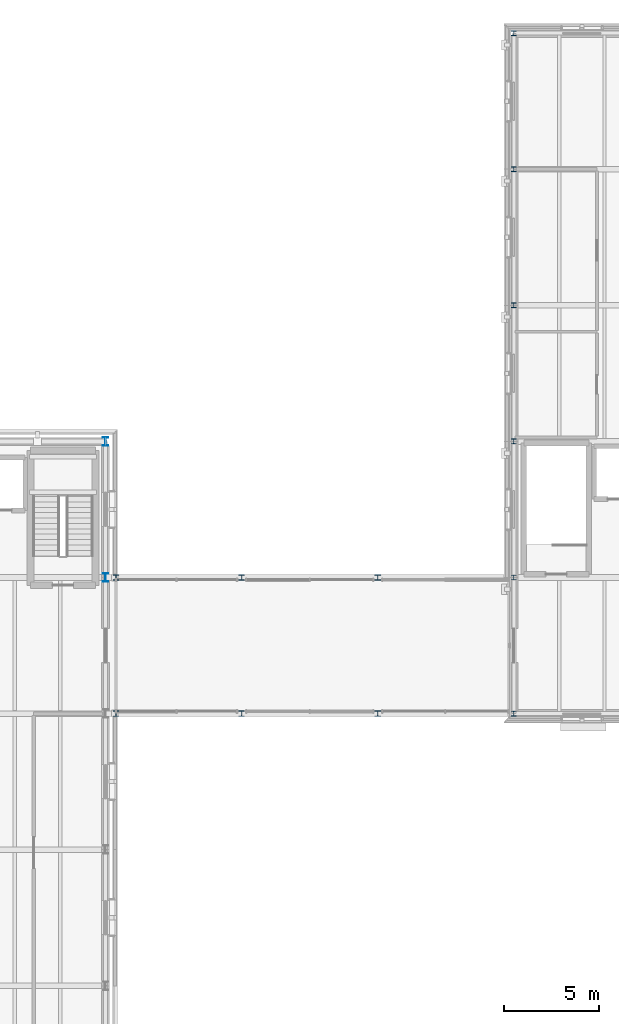
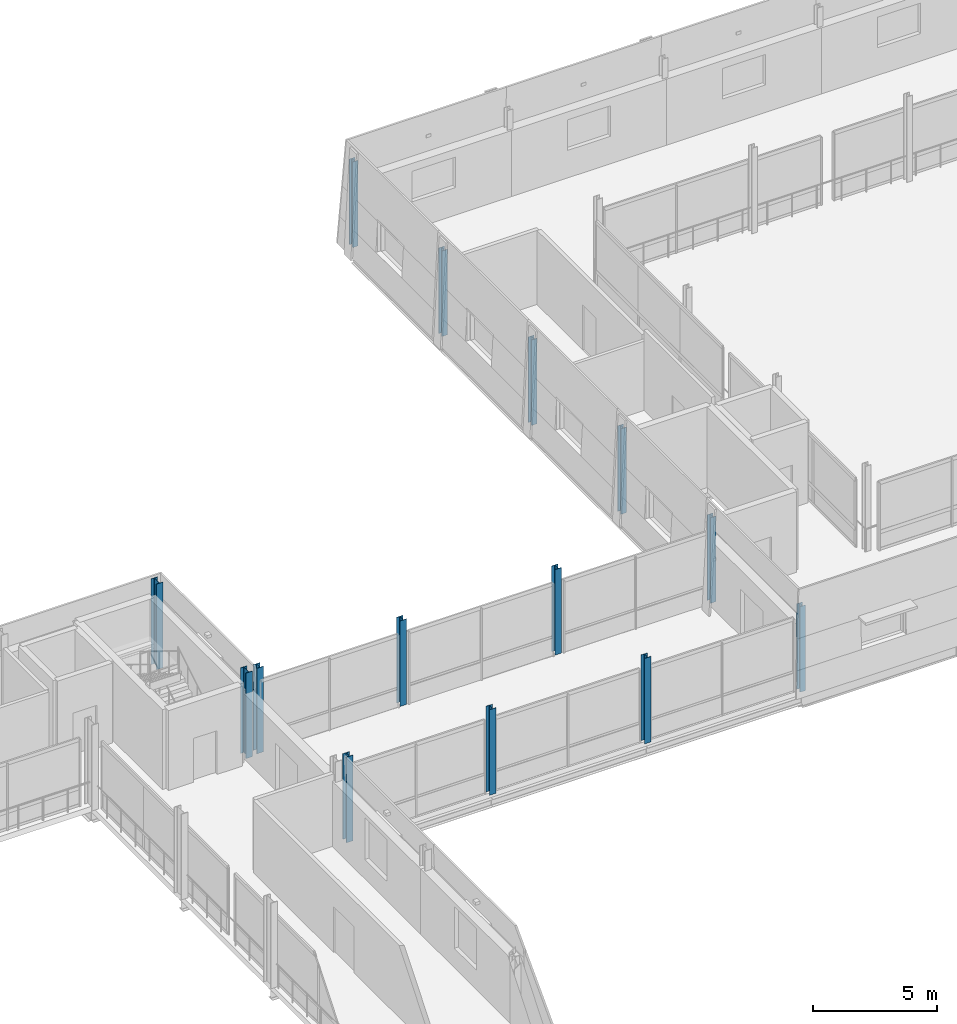
# One storey, part 11 of 115: 14 columns.
"""IFC4 building model written with IfcOpenShell, lengths in metres."""

import ifcopenshell
import ifcopenshell.guid

model = None  # the IFC model being written
_history = None  # IfcOwnerHistory: only IFC2X3 demands one
_inside = {}  # id of a spatial element -> (the spatial element, [elements in it])
_under = {}  # id of a project, library or spatial element -> (it, [spatial elements below it])
_declared = {}  # id of a project -> (the project, [libraries it declares])
_typed = {}  # id of a type object -> (the type object, [elements of that type])
_made_of = {}  # id of a material, layer set ... -> (it, [elements and type objects made of it])


def new_model(schema):
    """Start an empty IFC model of exactly this schema.

    Asked for "IFC4X3", IfcOpenShell would pick the latest addendum, in which some entities
    have other attributes; the version numbers below select the first issue.
    IFC2X3 requires an IfcOwnerHistory on every rooted entity: one is made here for all.
    """
    global model, _history
    if schema == "IFC4X3":
        model = ifcopenshell.file(schema_version=(4, 3, 0, 0))
    else:
        model = ifcopenshell.file(schema=schema)
    _inside.clear()
    _under.clear()
    _declared.clear()
    _typed.clear()
    _made_of.clear()
    _history = None
    if model.schema == "IFC2X3":
        org = make("IfcOrganization", Name="unknown")
        user = make(
            "IfcPersonAndOrganization",
            ThePerson=make("IfcPerson", FamilyName="unknown"),
            TheOrganization=org,
        )
        app = make(
            "IfcApplication",
            ApplicationDeveloper=org,
            Version="unknown",
            ApplicationFullName="unknown",
            ApplicationIdentifier="unknown",
        )
        _history = make(
            "IfcOwnerHistory",
            OwningUser=user,
            OwningApplication=app,
            ChangeAction="ADDED",
            CreationDate=0,
        )
    return model


def make(cls, **values):
    """One entity of the class cls with the attributes given. An attribute that is None is left unset."""
    return model.create_entity(
        cls, **{name: value for name, value in values.items() if value is not None}
    )


def rooted(cls, **values):
    """An entity with a GlobalId (a new one), such as an element, a storey or a relation."""
    return make(cls, GlobalId=ifcopenshell.guid.new(), OwnerHistory=_history, **values)


def si_unit(unit_type, name, prefix=None):
    """IfcSIUnit, for example si_unit("LENGTHUNIT", "METRE", prefix="MILLI")."""
    return make("IfcSIUnit", UnitType=unit_type, Prefix=prefix, Name=name)


def assignment(units):
    """IfcUnitAssignment: the units of a project."""
    return None if units is None else make("IfcUnitAssignment", Units=units)


def point(xyz):
    """IfcCartesianPoint."""
    return None if xyz is None else make("IfcCartesianPoint", Coordinates=xyz)


def direction(xyz):
    """IfcDirection."""
    return None if xyz is None else make("IfcDirection", DirectionRatios=xyz)


def frame(location, z_axis=None, x_axis=None):
    """IfcAxis2Placement3D, a coordinate frame: its origin and axes. An axis left out is left unset."""
    return make(
        "IfcAxis2Placement3D",
        Location=point(location),
        Axis=direction(z_axis),
        RefDirection=direction(x_axis),
    )


def frame_2d(location, x_axis=None):
    """IfcAxis2Placement2D, a coordinate frame in the plane: its origin and x axis."""
    return make(
        "IfcAxis2Placement2D", Location=point(location), RefDirection=direction(x_axis)
    )


def origin():
    """The frame at (0, 0, 0) with its axes left unset."""
    return frame((0.0, 0.0, 0.0))


def origin_2d():
    """The frame at (0, 0) in the plane with its x axis left unset."""
    return frame_2d((0.0, 0.0))


def place(relative_to, where):
    """IfcLocalPlacement: puts the frame where relative to a parent placement (None: the world)."""
    return make(
        "IfcLocalPlacement", PlacementRelTo=relative_to, RelativePlacement=where
    )


def context(
    kind, dimensions, precision=None, world=None, true_north=None, identifier=None
):
    """IfcGeometricRepresentationContext, for example the 3D "Model" context."""
    return make(
        "IfcGeometricRepresentationContext",
        ContextIdentifier=identifier,
        ContextType=kind,
        CoordinateSpaceDimension=dimensions,
        Precision=precision,
        WorldCoordinateSystem=world,
        TrueNorth=true_north,
    )


def subcontext(parent, identifier, kind, view, scale=None):
    """IfcGeometricRepresentationSubContext, for example "Body" below "Model"."""
    return make(
        "IfcGeometricRepresentationSubContext",
        ContextIdentifier=identifier,
        ContextType=kind,
        ParentContext=parent,
        TargetScale=scale,
        TargetView=view,
    )


def project(units=None, contexts=None):
    """IfcProject with its units and contexts."""
    return rooted(
        "IfcProject",
        Name="project",
        RepresentationContexts=contexts,
        UnitsInContext=assignment(units),
    )


def spatial(cls, under=None, at=None, **own):
    """A site, building, storey or space (cls), placed at a placement, below another one or the project."""
    s = rooted(cls, ObjectPlacement=at, **own)
    if under is not None:
        _under.setdefault(under.id(), (under, []))[1].append(s)
    return s


def profile(cls, at=None, kind="AREA", **sizes):
    """A parametric profile (cls). Its sizes go by their IFC names, for example OverallWidth=200.0."""
    return make(cls, ProfileType=kind, Position=at, **sizes)


def i_section(**sizes):
    """IfcIShapeProfileDef."""
    return profile("IfcIShapeProfileDef", **sizes)


def extrude(swept, where, along, depth):
    """IfcExtrudedAreaSolid: the profile swept, set in the frame where, extruded along a direction by depth."""
    return make(
        "IfcExtrudedAreaSolid",
        SweptArea=swept,
        Position=where,
        ExtrudedDirection=direction(along),
        Depth=depth,
    )


def shape(context_of_items, identifier, shape_type, items):
    """IfcShapeRepresentation: the items that make up one representation, for example the "Body"."""
    return make(
        "IfcShapeRepresentation",
        ContextOfItems=context_of_items,
        RepresentationIdentifier=identifier,
        RepresentationType=shape_type,
        Items=items,
    )


def material(Name=None, Category=None):
    """IfcMaterial."""
    return make("IfcMaterial", Name=Name, Category=Category)


def material_profile(
    of_material, cross_section, Name=None, Category=None, Priority=None
):
    """IfcMaterialProfile: a cross section and its material."""
    return make(
        "IfcMaterialProfile",
        Name=Name,
        Material=of_material,
        Profile=cross_section,
        Priority=Priority,
        Category=Category,
    )


def profile_set(profiles, Name=None, composite=None):
    """IfcMaterialProfileSet."""
    return make(
        "IfcMaterialProfileSet",
        Name=Name,
        MaterialProfiles=profiles,
        CompositeProfile=composite,
    )


def made_of(thing, what):
    """Note that an element or type object is made of a material, layer set ...; save() writes the relation."""
    if what is not None:
        _made_of.setdefault(what.id(), (what, []))[1].append(thing)
    return thing


def type_object(cls, material=None, **own):
    """A type object (cls), such as IfcWallType, which elements share."""
    return made_of(rooted(cls, **own), material)


def element(
    cls,
    number,
    at=None,
    inside=None,
    cuts=None,
    type_object=None,
    material=None,
    context=None,
    identifier="Body",
    shape_type=None,
    held_by="IfcProductDefinitionShape",
    body=None,
    shapes=None,
    **own,
):
    """One element of the class cls, such as IfcWall. Its Tag is "e" and its number.

    at: its placement. inside: the storey or other place that contains it. cuts: it is an
    opening in that element (IfcRelVoidsElement). A single representation is given by context,
    identifier, shape_type and body (its items); several are given by shapes. held_by: the class
    of the entity that holds the representations. save() writes the other relations.
    """
    e = rooted(cls, Tag="e%d" % number, ObjectPlacement=at, **own)
    if body is not None:
        shapes = [shape(context, identifier, shape_type, body)]
    if shapes is not None:
        e.Representation = make(held_by, Representations=shapes)
    if inside is not None:
        _inside.setdefault(inside.id(), (inside, []))[1].append(e)
    if cuts is not None:
        rooted(
            "IfcRelVoidsElement", RelatingBuildingElement=cuts, RelatedOpeningElement=e
        )
    if type_object is not None:
        _typed.setdefault(type_object.id(), (type_object, []))[1].append(e)
    return made_of(e, material)


def aggregate(whole, parts):
    """IfcRelAggregates: a whole, such as a stair, and the parts it consists of."""
    return rooted("IfcRelAggregates", RelatingObject=whole, RelatedObjects=parts)


def save(model, path):
    """Write the relations noted so far, then the file.

    IfcRelAggregates (storeys below a building ...), IfcRelContainedInSpatialStructure (elements
    in a storey), IfcRelDefinesByType, IfcRelAssociatesMaterial and IfcRelDeclares: one each for
    every whole, place, type object, material and project.
    """
    for whole, parts in _under.values():
        aggregate(whole, parts)
    for where, things in _inside.values():
        rooted(
            "IfcRelContainedInSpatialStructure",
            RelatedElements=things,
            RelatingStructure=where,
        )
    for kind, things in _typed.values():
        rooted("IfcRelDefinesByType", RelatedObjects=things, RelatingType=kind)
    for what, things in _made_of.values():
        rooted("IfcRelAssociatesMaterial", RelatedObjects=things, RelatingMaterial=what)
    for by, libraries in _declared.values():
        rooted("IfcRelDeclares", RelatingContext=by, RelatedDefinitions=libraries)
    model.write(path)


model = new_model("IFC4")

# Units and contexts
model_context = context("Model", 3, precision=1e-05, world=origin(), true_north=direction((0.0, 1.0)))
body_context = subcontext(model_context, "Body", "Model", "MODEL_VIEW")
ifc_project = project(units=[si_unit("LENGTHUNIT", "METRE"), si_unit("AREAUNIT", "SQUARE_METRE"), si_unit("VOLUMEUNIT", "CUBIC_METRE"), si_unit("PLANEANGLEUNIT", "RADIAN"), si_unit("MASSUNIT", "GRAM", prefix="KILO")], contexts=[model_context])

# Site, building, storey
site_placement = place(None, origin())
site = spatial("IfcSite", under=ifc_project, at=site_placement, CompositionType="ELEMENT")
building_placement = place(site_placement, origin())
building = spatial("IfcBuilding", under=site, at=building_placement, Name="Narikvali Park Central Library", CompositionType="ELEMENT")
storey_placement = place(building_placement, frame((0.0, 0.0, 10.199951171875)))
storey = spatial("IfcBuildingStorey", under=building, at=storey_placement, Name="L02", CompositionType="ELEMENT", Elevation=10.199951171875)

# Columns
ifc_material = material(Name="Steel S355", Category="steel")
ifc_material_profile_1 = material_profile(ifc_material, i_section(OverallWidth=0.260009765625, OverallDepth=0.260009765625, WebThickness=0.010009765625, FlangeThickness=0.017578125, FilletRadius=0.02392578125, at=origin_2d()), Name="HEB 260")
ifc_profile_set_1 = profile_set([ifc_material_profile_1], Name="Steel S355")
column_type_1 = type_object("IfcColumnType", Name="Steel Column HEB260", PredefinedType="COLUMN", material=ifc_profile_set_1)
for number, where, z_axis, x_axis, name in (
    (1, (122.39990234375, 79.199951171875, 0.0), (0.0, 0.0, 1.0), (1.0, 0.0, 0.0), "V3 L02 Column (122.4,79.2)"),
    (2, (122.39990234375, 86.39990234375, 0.0), (0.0, 0.0, 1.0), (1.0, 0.0, 0.0), "V3 L02 Column (122.4,86.4)"),
    (3, (122.39990234375, 93.60009765625, 0.0), (0.0, 0.0, 1.0), (1.0, 0.0, 0.0), "V3 L02 Column (122.4,93.6)"),
    (4, (122.39990234375, 100.800048828125, 0.0), (0.0, 0.0, 1.0), (1.0, 0.0, 0.0), "V3 L02 Column (122.4,100.8)"),
    (5, (122.39990234375, 108.0, 0.0), (0.0, 0.0, 1.0), (1.0, 0.0, 0.0), "V3 L02 Column (122.4,108.0)"),
    (6, (122.39990234375, 115.199951171875, 0.0), (0.0, 0.0, 1.0), (1.0, 0.0, 0.0), "V3 L02 Column (122.4,115.2)"),
):
    element("IfcColumn", number, at=place(storey_placement, frame(where, z_axis=z_axis, x_axis=x_axis)), inside=storey, type_object=column_type_1, Name=name, PredefinedType="COLUMN", context=body_context, shape_type="SweptSolid", body=[
        extrude(i_section(OverallWidth=0.260009765625, OverallDepth=0.260009765625, WebThickness=0.010009765625, FlangeThickness=0.017578125, FilletRadius=0.02392578125, at=origin_2d()), origin(), (0.0, 0.0, 1.0), 4.199951171875),
    ])
ifc_material_profile_2 = material_profile(ifc_material, i_section(OverallWidth=0.300048828125, OverallDepth=0.300048828125, WebThickness=0.010986328125, FlangeThickness=0.01904296875, FilletRadius=0.027099609375, at=origin_2d()), Name="HEB 300")
ifc_profile_set_2 = profile_set([ifc_material_profile_2], Name="Steel S355")
column_type_2 = type_object("IfcColumnType", Name="Steel Column HEB300", PredefinedType="COLUMN", material=ifc_profile_set_2)
for number, where, z_axis, x_axis, name in (
    (7, (101.35009765625, 79.199951171875, 0.0), (0.0, 0.0, 1.0), (1.0, 0.0, 0.0), "BRG-3 Bridge Pier L02"),
    (8, (101.35009765625, 86.39990234375, 0.0), (0.0, 0.0, 1.0), (1.0, 0.0, 0.0), "BRG-3 Bridge Pier L02"),
    (9, (108.0, 79.199951171875, 0.0), (0.0, 0.0, 1.0), (1.0, 0.0, 0.0), "BRG-3 Bridge Pier L02"),
    (10, (108.0, 86.39990234375, 0.0), (0.0, 0.0, 1.0), (1.0, 0.0, 0.0), "BRG-3 Bridge Pier L02"),
    (11, (115.199951171875, 79.199951171875, 0.0), (0.0, 0.0, 1.0), (1.0, 0.0, 0.0), "BRG-3 Bridge Pier L02"),
    (12, (115.199951171875, 86.39990234375, 0.0), (0.0, 0.0, 1.0), (1.0, 0.0, 0.0), "BRG-3 Bridge Pier L02"),
):
    element("IfcColumn", number, at=place(storey_placement, frame(where, z_axis=z_axis, x_axis=x_axis)), inside=storey, type_object=column_type_2, Name=name, PredefinedType="COLUMN", context=body_context, shape_type="SweptSolid", body=[
        extrude(i_section(OverallWidth=0.300048828125, OverallDepth=0.300048828125, WebThickness=0.010986328125, FlangeThickness=0.01904296875, FilletRadius=0.027099609375, at=origin_2d()), origin(), (0.0, 0.0, 1.0), 4.199951171875),
    ])
ifc_material_profile_3 = material_profile(ifc_material, i_section(OverallWidth=0.300048828125, OverallDepth=0.449951171875, WebThickness=0.013916015625, FlangeThickness=0.02587890625, FilletRadius=0.027099609375, at=origin_2d()), Name="HEB 450")
ifc_profile_set_3 = profile_set([ifc_material_profile_3], Name="Steel S355")
column_type_3 = type_object("IfcColumnType", Name="Steel Column HEB450", PredefinedType="COLUMN", material=ifc_profile_set_3)
for number, where, z_axis, x_axis, name in (
    (13, (100.800048828125, 86.39990234375, 0.0), (0.0, 0.0, 1.0), (1.0, 0.0, 0.0), "V1 L02 Column (100.8,86.4)"),
    (14, (100.800048828125, 93.60009765625, 0.0), (0.0, 0.0, 1.0), (1.0, 0.0, 0.0), "V1 L02 Column (100.8,93.6)"),
):
    element("IfcColumn", number, at=place(storey_placement, frame(where, z_axis=z_axis, x_axis=x_axis)), inside=storey, type_object=column_type_3, Name=name, PredefinedType="COLUMN", context=body_context, shape_type="SweptSolid", body=[
        extrude(i_section(OverallWidth=0.300048828125, OverallDepth=0.449951171875, WebThickness=0.013916015625, FlangeThickness=0.02587890625, FilletRadius=0.027099609375, at=origin_2d()), origin(), (0.0, 0.0, 1.0), 4.199951171875),
    ])

save(model, "model.ifc")
